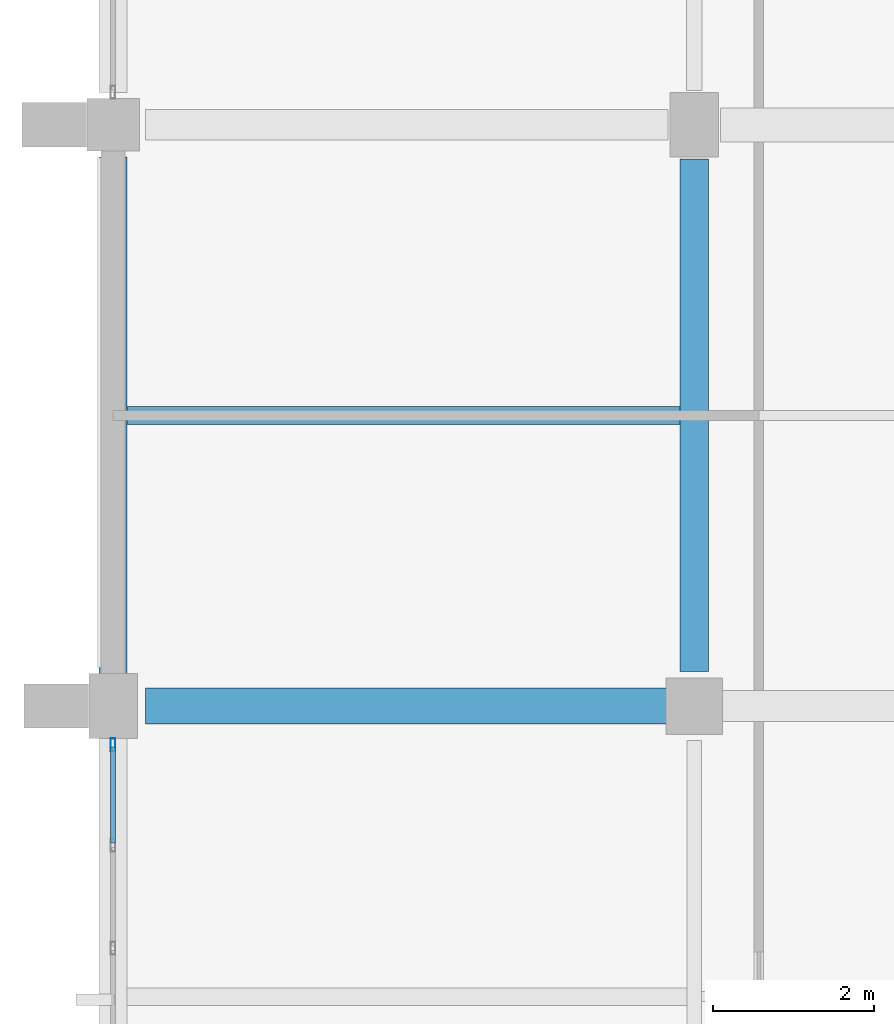
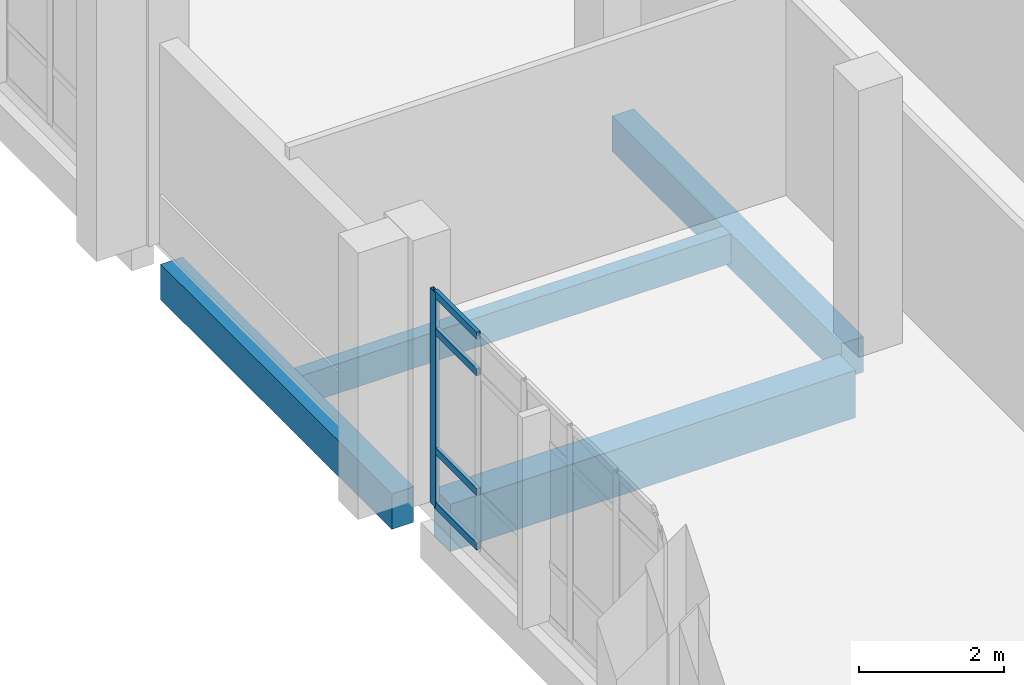
# One storey, part 55 of 124: 5 members, 4 beams, 1 element without a shape of its own.
"""IFC4 building model written with IfcOpenShell, lengths in metres."""

from ifc_helpers import new_model, si_unit, direction, frame, origin, origin_2d, place, context, subcontext, project, spatial, rectangle, hollow_rectangle, extrude, material, material_profile, profile_set, type_object, element, aggregate, save


model = new_model("IFC4")

# Units and contexts
model_context = context("Model", 3, precision=1e-05, world=origin(), true_north=direction((0.0, 1.0)))
body_context = subcontext(model_context, "Body", "Model", "MODEL_VIEW")
ifc_project = project(units=[si_unit("LENGTHUNIT", "METRE"), si_unit("AREAUNIT", "SQUARE_METRE"), si_unit("VOLUMEUNIT", "CUBIC_METRE"), si_unit("PLANEANGLEUNIT", "RADIAN"), si_unit("MASSUNIT", "GRAM", prefix="KILO")], contexts=[model_context])

# Site, building, storey
site_placement = place(None, origin())
site = spatial("IfcSite", under=ifc_project, at=site_placement, CompositionType="ELEMENT")
building_placement = place(site_placement, origin())
building = spatial("IfcBuilding", under=site, at=building_placement, Name="Kalluvel Institute of Natural Sciences", CompositionType="ELEMENT")
storey_placement = place(building_placement, frame((0.0, 0.0, 9.89990234375)))
storey = spatial("IfcBuildingStorey", under=building, at=storey_placement, Name="L02", CompositionType="ELEMENT", Elevation=9.89990234375)

# Beams
ifc_material_1 = material(Name="Concrete M40", Category="concrete")
ifc_material_profile_1 = material_profile(ifc_material_1, rectangle(XDim=0.35009765625, YDim=0.60009765625, at=origin_2d()), Name="RCB 350x600")
ifc_profile_set_1 = profile_set([ifc_material_profile_1], Name="Concrete M40")
beam_type_1 = type_object("IfcBeamType", Name="BM-RC350x600", PredefinedType="BEAM", material=ifc_profile_set_1)
beam_1_placement = place(storey_placement, frame((21.199951171875, 79.22509765625, -0.599853515625), z_axis=(0.0, 1.0, 0.0), x_axis=(-1.0, 0.0, 0.0)))
element("IfcBeam", 1, at=beam_1_placement, inside=storey, type_object=beam_type_1, Name="L02 girder GIR-L02-NS-X212-Y788", PredefinedType="BEAM", context=body_context, shape_type="SweptSolid", body=[
    extrude(rectangle(XDim=0.35009765625, YDim=0.60009765625, at=origin_2d()), origin(), (0.0, 0.0, 1.0), 6.349853515625),
])
ifc_material_profile_2 = material_profile(ifc_material_1, rectangle(XDim=0.449951171875, YDim=0.800048828125, at=origin_2d()), Name="RCB 450x800")
ifc_profile_set_2 = profile_set([ifc_material_profile_2], Name="Concrete M40")
beam_type_2 = type_object("IfcBeamType", Name="BM-RC450x800", PredefinedType="BEAM", material=ifc_profile_set_2)
beam_2_placement = place(storey_placement, frame((14.39990234375, 78.800048828125, -0.699951171875), z_axis=(1.0, 0.0, 0.0), x_axis=(0.0, 1.0, 0.0)))
element("IfcBeam", 2, at=beam_2_placement, inside=storey, type_object=beam_type_2, Name="L02 girder GIR-L02-EW-X140-Y788", PredefinedType="BEAM", context=body_context, shape_type="SweptSolid", body=[
    extrude(rectangle(XDim=0.449951171875, YDim=0.800048828125, at=origin_2d()), origin(), (0.0, 0.0, 1.0), 6.47509765625),
])

# Curtain wall, members
ifc_material_2 = material(Name="Aluminium AW-6063 T6", Category="aluminium")
curtain_wall_type = type_object("IfcCurtainWallType", Name="CW-DRY-45", PredefinedType="USERDEFINED", material=ifc_material_2)
curtain_wall_placement = place(storey_placement, origin())
curtain_wall = element("IfcCurtainWall", 3, at=curtain_wall_placement, inside=storey, type_object=curtain_wall_type, Name="L02 Gothic lancet curtain wall CWA-L02-X140-Y720", ObjectType="UNITISED LANCET FACADE", PredefinedType="USERDEFINED")
ifc_material_profile_3 = material_profile(ifc_material_2, hollow_rectangle(XDim=0.06005859375, YDim=0.159912109375, WallThickness=0.00390625, at=origin_2d()), Name="CWM 60x160")
ifc_profile_set_3 = profile_set([ifc_material_profile_3], Name="Aluminium AW-6063 T6")
member_type_1 = type_object("IfcMemberType", Name="CWM-60x160", PredefinedType="MULLION", material=ifc_profile_set_3)
member_1_placement = place(storey_placement, frame((14.0, 78.320068359375, 0.0), z_axis=(0.0, 0.0, 1.0), x_axis=(-1.0, 0.0, 0.0)))
member_1 = element("IfcMember", 4, at=member_1_placement, type_object=member_type_1, Name="CW-03 mullion 6", PredefinedType="MULLION", context=body_context, shape_type="SweptSolid", body=[
    extrude(hollow_rectangle(XDim=0.06005859375, YDim=0.159912109375, WallThickness=0.00390625, at=origin_2d()), origin(), (0.0, 0.0, 1.0), 3.6201171875),
])
ifc_material_profile_4 = material_profile(ifc_material_2, hollow_rectangle(XDim=0.06005859375, YDim=0.1201171875, WallThickness=0.00390625, at=origin_2d()), Name="CWT 60x120")
ifc_profile_set_4 = profile_set([ifc_material_profile_4], Name="Aluminium AW-6063 T6")
member_type_2 = type_object("IfcMemberType", Name="CWT-60x120", PredefinedType="USERDEFINED", material=ifc_profile_set_4)
member_2_placement = place(storey_placement, frame((14.0, 77.10498046875, 0.030029296875), z_axis=(0.0, 1.0, 0.0), x_axis=(-1.0, 0.0, 0.0)))
member_2 = element("IfcMember", 5, at=member_2_placement, type_object=member_type_2, Name="CW-03 transom 5.1", ObjectType="TRANSOM", PredefinedType="USERDEFINED", context=body_context, shape_type="SweptSolid", body=[
    extrude(hollow_rectangle(XDim=0.06005859375, YDim=0.1201171875, WallThickness=0.00390625, at=origin_2d()), origin(), (0.0, 0.0, 1.0), 1.18505859375),
])
member_3_placement = place(storey_placement, frame((14.0, 77.10498046875, 0.9501953125), z_axis=(0.0, 1.0, 0.0), x_axis=(-1.0, 0.0, 0.0)))
member_3 = element("IfcMember", 6, at=member_3_placement, type_object=member_type_2, Name="CW-03 transom 5.2", ObjectType="TRANSOM", PredefinedType="USERDEFINED", context=body_context, shape_type="SweptSolid", body=[
    extrude(hollow_rectangle(XDim=0.06005859375, YDim=0.1201171875, WallThickness=0.00390625, at=origin_2d()), origin(), (0.0, 0.0, 1.0), 1.18505859375),
])
member_4_placement = place(storey_placement, frame((14.0, 77.10498046875, 2.97021484375), z_axis=(0.0, 1.0, 0.0), x_axis=(-1.0, 0.0, 0.0)))
member_4 = element("IfcMember", 7, at=member_4_placement, type_object=member_type_2, Name="CW-03 transom 5.3", ObjectType="TRANSOM", PredefinedType="USERDEFINED", context=body_context, shape_type="SweptSolid", body=[
    extrude(hollow_rectangle(XDim=0.06005859375, YDim=0.1201171875, WallThickness=0.00390625, at=origin_2d()), origin(), (0.0, 0.0, 1.0), 1.18505859375),
])
member_5_placement = place(storey_placement, frame((14.0, 77.10498046875, 3.590087890625), z_axis=(0.0, 1.0, 0.0), x_axis=(-1.0, 0.0, 0.0)))
member_5 = element("IfcMember", 8, at=member_5_placement, type_object=member_type_2, Name="CW-03 transom 5.4", ObjectType="TRANSOM", PredefinedType="USERDEFINED", context=body_context, shape_type="SweptSolid", body=[
    extrude(hollow_rectangle(XDim=0.06005859375, YDim=0.1201171875, WallThickness=0.00390625, at=origin_2d()), origin(), (0.0, 0.0, 1.0), 1.18505859375),
])
aggregate(curtain_wall, [member_1, member_2, member_3, member_4, member_5])

# Beams
ifc_material_profile_5 = material_profile(ifc_material_1, rectangle(XDim=0.35009765625, YDim=0.60009765625, at=origin_2d()), Name="RCB 350x600")
ifc_profile_set_5 = profile_set([ifc_material_profile_5], Name="Concrete M40")
beam_type_3 = type_object("IfcBeamType", Name="SP-RC350x600", PredefinedType="SPANDREL", material=ifc_profile_set_5)
beam_3_placement = place(storey_placement, frame((14.0, 79.199951171875, -0.599853515625), z_axis=(0.0, 1.0, 0.0), x_axis=(-1.0, 0.0, 0.0)))
element("IfcBeam", 9, at=beam_3_placement, inside=storey, type_object=beam_type_3, Name="L02 girder GIR-L02-NS-X140-Y788", PredefinedType="SPANDREL", context=body_context, shape_type="SweptSolid", body=[
    extrude(rectangle(XDim=0.35009765625, YDim=0.60009765625, at=origin_2d()), origin(), (0.0, 0.0, 1.0), 6.400146484375),
])
ifc_material_profile_6 = material_profile(ifc_material_1, rectangle(XDim=0.219970703125, YDim=0.5, at=origin_2d()), Name="WAF 220x500")
ifc_profile_set_6 = profile_set([ifc_material_profile_6], Name="Concrete M40")
beam_type_4 = type_object("IfcBeamType", Name="WJ-220x500", PredefinedType="JOIST", material=ifc_profile_set_6)
beam_4_placement = place(storey_placement, frame((14.175048828125, 82.39990234375, -0.5498046875), z_axis=(1.0, 0.0, 0.0), x_axis=(0.0, 1.0, 0.0)))
element("IfcBeam", 10, at=beam_4_placement, inside=storey, type_object=beam_type_4, Name="L02 floor rib RIB-L02-0677", PredefinedType="JOIST", context=body_context, shape_type="SweptSolid", body=[
    extrude(rectangle(XDim=0.219970703125, YDim=0.5, at=origin_2d()), origin(), (0.0, 0.0, 1.0), 6.849853515625),
])

save(model, "model.ifc")
